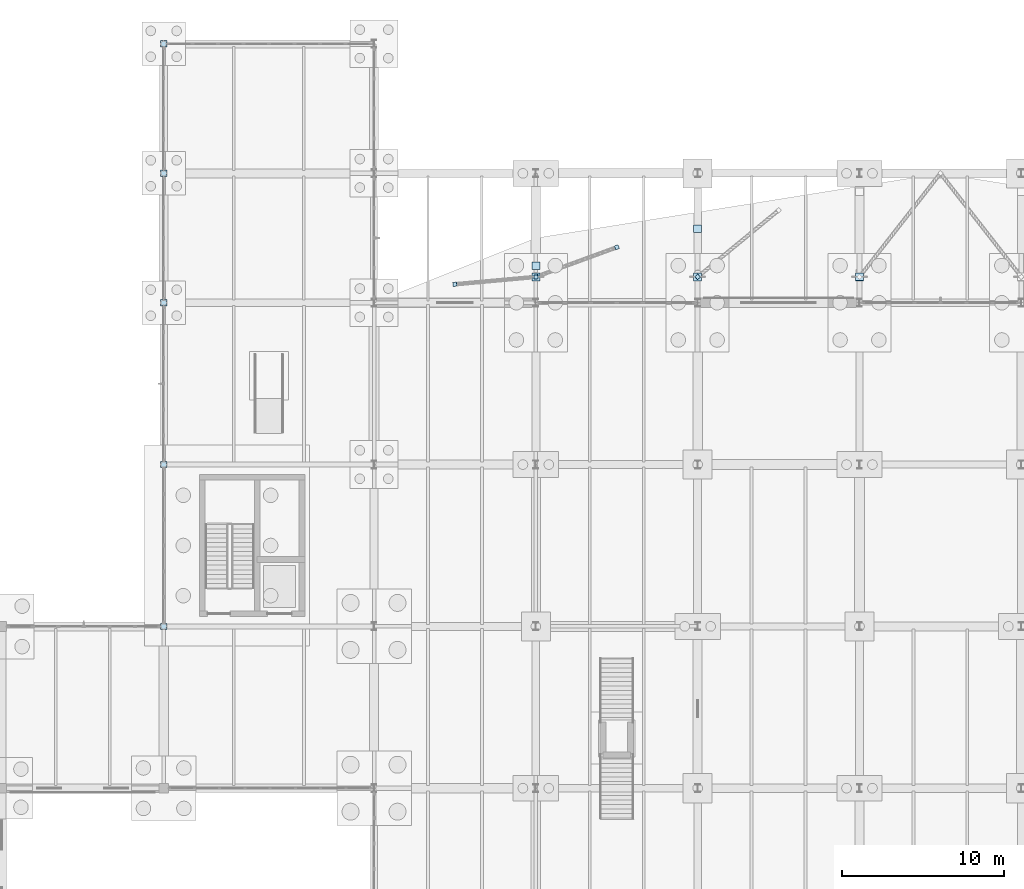
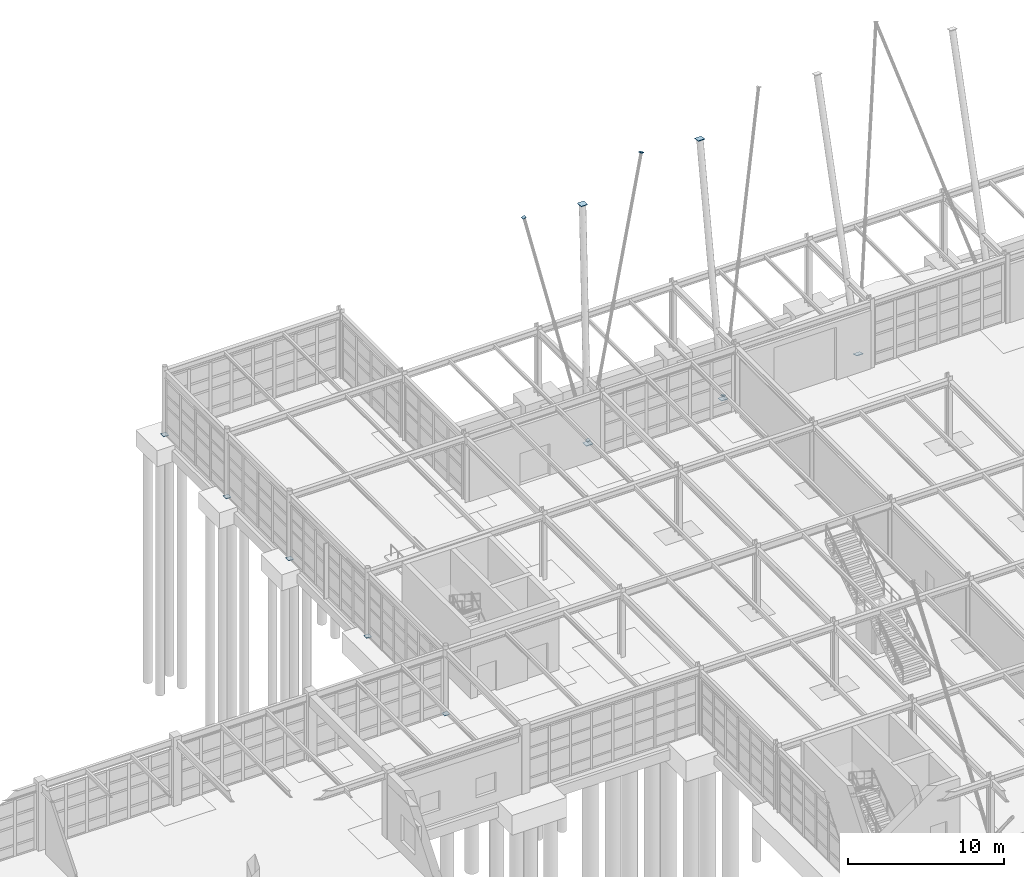
# One storey, part 112 of 145: 14 plates.
"""IFC4 building model written with IfcOpenShell, lengths in metres."""

from ifc_helpers import new_model, si_unit, direction, frame, origin, origin_2d, place, context, subcontext, project, spatial, rectangle, extrude, material, layer, layer_set, type_object, element, save


model = new_model("IFC4")

# Units and contexts
model_context = context("Model", 3, precision=1e-05, world=origin(), true_north=direction((0.0, 1.0)))
body_context = subcontext(model_context, "Body", "Model", "MODEL_VIEW")
ifc_project = project(units=[si_unit("LENGTHUNIT", "METRE"), si_unit("AREAUNIT", "SQUARE_METRE"), si_unit("VOLUMEUNIT", "CUBIC_METRE"), si_unit("PLANEANGLEUNIT", "RADIAN"), si_unit("MASSUNIT", "GRAM", prefix="KILO"), si_unit("THERMODYNAMICTEMPERATUREUNIT", "KELVIN"), si_unit("POWERUNIT", "WATT")], contexts=[model_context])

# Site, building, storey
site_placement = place(None, origin())
site = spatial("IfcSite", under=ifc_project, at=site_placement, CompositionType="ELEMENT")
building_placement = place(site_placement, origin())
building = spatial("IfcBuilding", under=site, at=building_placement, Name="Korenveer Ferry Terminal", CompositionType="ELEMENT")
storey_placement = place(building_placement, origin())
storey = spatial("IfcBuildingStorey", under=building, at=storey_placement, Name="L00", CompositionType="ELEMENT", Elevation=0.0)

# Plates
ifc_material = material(Name="Steel S355", Category="steel")
ifc_layer_1 = layer(ifc_material, 0.031982421875)
ifc_layer_set_1 = layer_set([ifc_layer_1], Name="Steel S355")
plate_type_1 = type_object("IfcPlateType", Name="STR-PLT-CAP32", PredefinedType="USERDEFINED", material=ifc_layer_set_1)
for number, where, z_axis, x_axis, name in (
    (1, (63.0078125, 101.6005859375, 0.21923828125), (-0.249201318125, -0.022784121011, 0.968183653485), (0.091048818467, -0.995846430257, 0.0), "Hollow section end cap 193"),
    (2, (58.0, 101.142822265625, 19.67578125), (-0.249201318125, -0.022784121011, 0.968183653485), (0.091048818467, -0.995846430257, 0.0), "Hollow section end cap 194"),
    (3, (68.0, 103.428466796875, 19.88330078125), (0.245793274884, 0.089890111958, 0.965145291546), (-0.3434660864, 0.939165080001, 0.0), "Hollow section end cap 195"),
    (4, (72.9921875, 101.59375, 0.2197265625), (0.239570557089, 0.197132344073, 0.950654925352), (-0.635397872872, 0.772184915127, 0.0), "Hollow section end cap 196"),
):
    element("IfcPlate", number, at=place(storey_placement, frame(where, z_axis=z_axis, x_axis=x_axis)), inside=storey, type_object=plate_type_1, Name=name, ObjectType="END CAP PLATE", PredefinedType="USERDEFINED", context=body_context, shape_type="SweptSolid", body=[
        extrude(rectangle(XDim=0.2490234375, YDim=0.2490234375, at=origin_2d()), origin(), (0.0, 0.0, 1.0), 0.031982421875),
    ])
ifc_layer_2 = layer(ifc_material, 0.0419921875)
ifc_layer_set_2 = layer_set([ifc_layer_2], Name="Steel S355")
plate_type_2 = type_object("IfcPlateType", Name="STR-PLT-CAP42", PredefinedType="USERDEFINED", material=ifc_layer_set_2)
for number, where, z_axis, x_axis, name in (
    (5, (40.0, 80.0, -0.0419921875), (0.0, 0.0, 1.0), (1.0, 0.0, 0.0), "Hollow section end cap 1"),
    (6, (40.0, 90.0, -0.0419921875), (0.0, 0.0, 1.0), (1.0, 0.0, 0.0), "Hollow section end cap 2"),
    (7, (40.0, 100.0, -0.0419921875), (0.0, 0.0, 1.0), (1.0, 0.0, 0.0), "Hollow section end cap 3"),
    (8, (40.0, 108.0, -0.0419921875), (0.0, 0.0, 1.0), (1.0, 0.0, 0.0), "Hollow section end cap 4"),
    (9, (40.0, 116.0, -0.0419921875), (0.0, 0.0, 1.0), (1.0, 0.0, 0.0), "Hollow section end cap 5"),
):
    element("IfcPlate", number, at=place(storey_placement, frame(where, z_axis=z_axis, x_axis=x_axis)), inside=storey, type_object=plate_type_2, Name=name, ObjectType="END CAP PLATE", PredefinedType="USERDEFINED", context=body_context, shape_type="SweptSolid", body=[
        extrude(rectangle(XDim=0.385498046875, YDim=0.385498046875, at=origin_2d()), origin(), (0.0, 0.0, 1.0), 0.0419921875),
    ])
for number, where, z_axis, x_axis, name in (
    (10, (63.0, 101.598388671875, -0.0419921875), (0.0, 0.037506270012, 0.999296392323), (-1.0, 0.0, 0.0), "Hollow section end cap 149"),
    (11, (63.0, 102.285888671875, 18.269775390625), (0.0, 0.037506270012, 0.999296392323), (-1.0, 0.0, 0.0), "Hollow section end cap 150"),
    (12, (73.0, 101.59326171875, -0.04150390625), (0.0, 0.158774828991, 0.987314819943), (-1.0, 0.0, 0.0), "Hollow section end cap 151"),
    (13, (73.0, 104.5712890625, 18.477294921875), (0.0, 0.158774828991, 0.987314819943), (-1.0, 0.0, 0.0), "Hollow section end cap 152"),
    (14, (83.0, 101.588623046875, -0.04052734375), (0.0, 0.270842120049, 0.962623782174), (-1.0, 0.0, 0.0), "Hollow section end cap 153"),
):
    element("IfcPlate", number, at=place(storey_placement, frame(where, z_axis=z_axis, x_axis=x_axis)), inside=storey, type_object=plate_type_2, Name=name, ObjectType="END CAP PLATE", PredefinedType="USERDEFINED", context=body_context, shape_type="SweptSolid", body=[
        extrude(rectangle(XDim=0.487060546875, YDim=0.487060546875, at=origin_2d()), origin(), (0.0, 0.0, 1.0), 0.0419921875),
    ])

save(model, "model.ifc")
